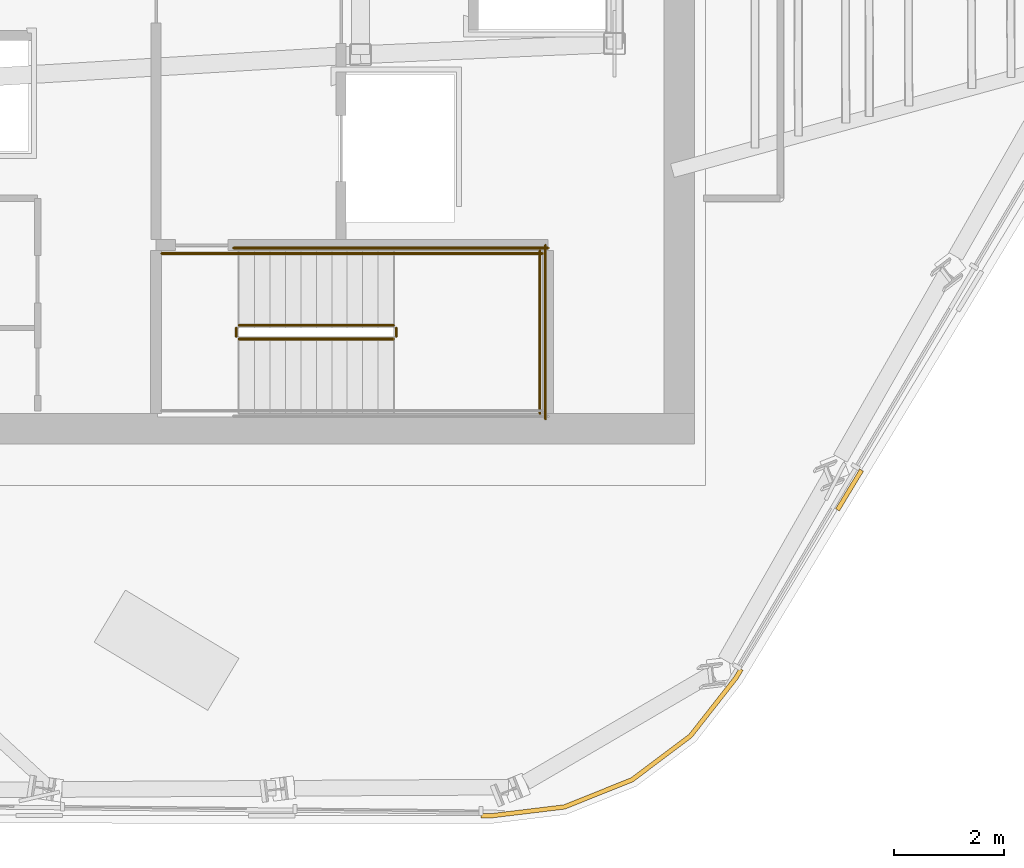
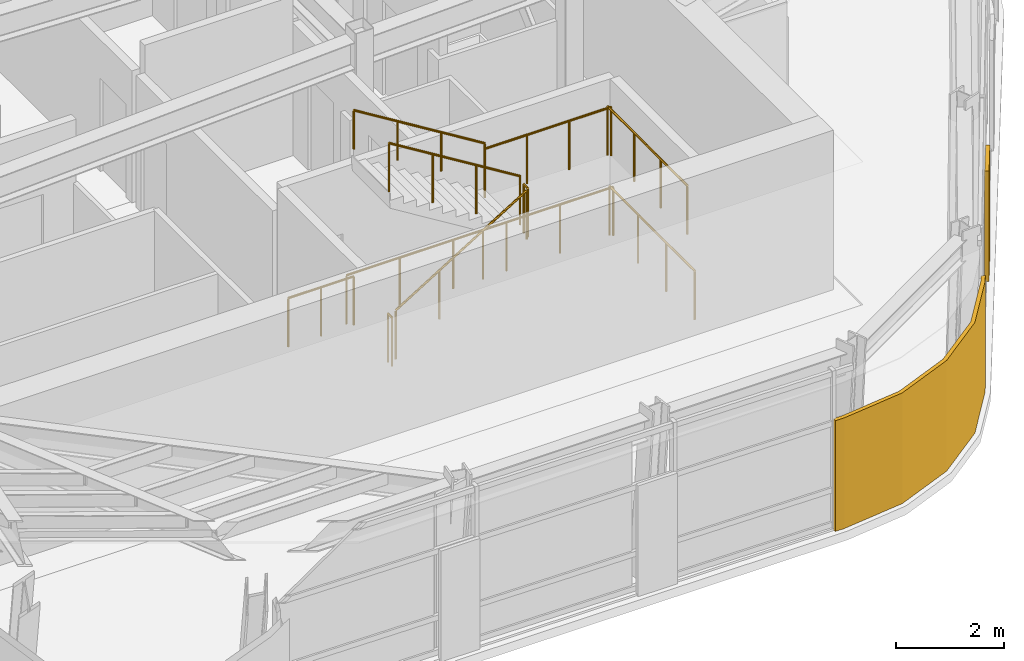
# One storey, part 10 of 13: 10 railings, 2 coverings.
"""IFC4 building model written with IfcOpenShell, lengths in metres."""

from ifc_helpers import new_model, si_unit, direction, frame, origin, origin_2d, place, context, subcontext, project, spatial, polyline, circle, outline, extrude, material, layer, layer_set, type_object, element, save


model = new_model("IFC4")

# Units and contexts
model_context = context("Model", 3, precision=1e-05, world=origin(), true_north=direction((0.0, 1.0)))
body_context = subcontext(model_context, "Body", "Model", "MODEL_VIEW")
ifc_project = project(units=[si_unit("LENGTHUNIT", "METRE"), si_unit("AREAUNIT", "SQUARE_METRE"), si_unit("VOLUMEUNIT", "CUBIC_METRE"), si_unit("PLANEANGLEUNIT", "RADIAN"), si_unit("MASSUNIT", "GRAM", prefix="KILO")], contexts=[model_context])

# Site, building, storey
site_placement = place(None, origin())
site = spatial("IfcSite", under=ifc_project, at=site_placement, CompositionType="ELEMENT")
building_placement = place(site_placement, origin())
building = spatial("IfcBuilding", under=site, at=building_placement, Name="Valkerne Bourse Tower", CompositionType="ELEMENT")
storey_placement = place(building_placement, frame((0.0, 0.0, 281.199951171875)))
storey = spatial("IfcBuildingStorey", under=building, at=storey_placement, Name="L71", CompositionType="ELEMENT", Elevation=281.199951171875)

# Coverings
ifc_material_1 = material(Name="Bronze Anodised Aluminium AA 6063-T6", Category="aluminium")
ifc_layer = layer(ifc_material_1, 0.06005859375)
ifc_layer_set = layer_set([ifc_layer], Name="Bronze Anodised Aluminium AA 6063-T6")
covering_type = type_object("IfcCoveringType", Name="COV-CRN-ALUM", PredefinedType="CLADDING", material=ifc_layer_set)
covering_1_placement = place(storey_placement, origin())
element("IfcCovering", 1, at=covering_1_placement, inside=storey, type_object=covering_type, Name="L71 Wind-Shaped Corner Aluminium Cladding 03", PredefinedType="CLADDING", context=body_context, shape_type="SweptSolid", body=[
    extrude(outline(polyline([(59.025146484375, 16.83544921875), (58.956298828125, 16.876220703125), (59.39111328125, 17.594970703125), (59.4599609375, 17.55419921875), (59.025146484375, 16.83544921875)])), origin(), (0.0, 0.0, 1.0), 2.5),
])
covering_2_placement = place(storey_placement, origin())
element("IfcCovering", 2, at=covering_2_placement, inside=storey, type_object=covering_type, Name="L71 Wind-Shaped Corner Aluminium Cladding 04", PredefinedType="CLADDING", context=body_context, shape_type="SweptSolid", body=[
    extrude(outline(polyline([(57.180419921875, 13.784912109375), (56.3544921875, 12.73193359375), (55.2900390625, 11.9326171875), (54.054931640625, 11.43603515625), (52.726318359375, 11.275390625), (52.53369140625, 11.275390625), (52.534423828125, 11.35546875), (52.7216796875, 11.355224609375), (54.034912109375, 11.51416015625), (55.25048828125, 12.0029296875), (56.298095703125, 12.78955078125), (57.1142578125, 13.83056640625), (57.211181640625, 13.990478515625), (57.280029296875, 13.94970703125), (57.180419921875, 13.784912109375)])), origin(), (0.0, 0.0, 1.0), 2.5),
])

# Railings
ifc_material_2 = material(Name="Galvanised Painted Steel", Category="steel")
railing_type_1 = type_object("IfcRailingType", Name="RLG-ST-GUARD-1120", PredefinedType="GUARDRAIL", material=ifc_material_2)
railing_1_placement = place(storey_placement, frame((48.14990234375, 19.949951171875, 0.1728515625)))
element("IfcRailing", 3, at=railing_1_placement, inside=storey, type_object=railing_type_1, Name="L71 ST-1 stair guard 1", PredefinedType="GUARDRAIL", context=body_context, shape_type="SweptSolid", body=[
    extrude(circle(Radius=0.02392578125, at=origin_2d()), frame((0.0, 0.0, 1.09619140625), z_axis=(0.851089632645, 0.0, 0.525020415988), x_axis=(0.0, 1.0, 0.0)), (0.0, 0.0, 1.0), 3.2900390625),
    extrude(circle(Radius=0.02099609375, at=origin_2d()), origin(), (0.0, 0.0, 1.0), 1.072021484375),
    extrude(circle(Radius=0.02099609375, at=origin_2d()), frame((0.933349609375, 0.0, 0.57568359375)), (0.0, 0.0, 1.0), 1.072021484375),
    extrude(circle(Radius=0.02099609375, at=origin_2d()), frame((1.86669921875, 0.0, 1.151611328125)), (0.0, 0.0, 1.0), 1.072021484375),
    extrude(circle(Radius=0.02099609375, at=origin_2d()), frame((2.800048828125, 0.0, 1.727294921875)), (0.0, 0.0, 1.0), 1.072021484375),
])
railing_2_placement = place(storey_placement, frame((51.0, 20.0, 1.900146484375)))
element("IfcRailing", 4, at=railing_2_placement, inside=storey, type_object=railing_type_1, Name="L71 ST-1 stair guard 2", PredefinedType="GUARDRAIL", context=body_context, shape_type="SweptSolid", body=[
    extrude(circle(Radius=0.02392578125, at=origin_2d()), frame((0.0, 0.0, 1.09619140625), z_axis=(0.0, 1.0, 0.0), x_axis=(-1.0, 0.0, 0.0)), (0.0, 0.0, 1.0), 0.14990234375),
    extrude(circle(Radius=0.02099609375, at=origin_2d()), origin(), (0.0, 0.0, 1.0), 1.072021484375),
    extrude(circle(Radius=0.02099609375, at=origin_2d()), frame((0.0, 0.14990234375, 0.0)), (0.0, 0.0, 1.0), 1.072021484375),
])
railing_3_placement = place(storey_placement, frame((50.949951171875, 21.5, 1.900146484375)))
element("IfcRailing", 5, at=railing_3_placement, inside=storey, type_object=railing_type_1, Name="L71 ST-1 stair guard 4", PredefinedType="GUARDRAIL", context=body_context, shape_type="SweptSolid", body=[
    extrude(circle(Radius=0.02392578125, at=origin_2d()), frame((0.0, 0.0, 1.09619140625), z_axis=(1.0, 0.0, 0.0), x_axis=(0.0, 1.0, 0.0)), (0.0, 0.0, 1.0), 2.699951171875),
    extrude(circle(Radius=0.02099609375, at=origin_2d()), origin(), (0.0, 0.0, 1.0), 1.072021484375),
    extrude(circle(Radius=0.02099609375, at=origin_2d()), frame((0.89990234375, 0.0, 0.0)), (0.0, 0.0, 1.0), 1.072021484375),
    extrude(circle(Radius=0.02099609375, at=origin_2d()), frame((1.800048828125, 0.0, 0.0)), (0.0, 0.0, 1.0), 1.072021484375),
    extrude(circle(Radius=0.02099609375, at=origin_2d()), frame((2.699951171875, 0.0, 0.0)), (0.0, 0.0, 1.0), 1.072021484375),
])
railing_4_placement = place(storey_placement, frame((53.60009765625, 18.60009765625, 1.900146484375)))
element("IfcRailing", 6, at=railing_4_placement, inside=storey, type_object=railing_type_1, Name="L71 ST-1 stair guard 5", PredefinedType="GUARDRAIL", context=body_context, shape_type="SweptSolid", body=[
    extrude(circle(Radius=0.02392578125, at=origin_2d()), frame((0.0, 0.0, 1.09619140625), z_axis=(0.0, 1.0, 0.0), x_axis=(-1.0, 0.0, 0.0)), (0.0, 0.0, 1.0), 2.949951171875),
    extrude(circle(Radius=0.02099609375, at=origin_2d()), origin(), (0.0, 0.0, 1.0), 1.072021484375),
    extrude(circle(Radius=0.02099609375, at=origin_2d()), frame((0.0, 0.9833984375, 0.0)), (0.0, 0.0, 1.0), 1.072021484375),
    extrude(circle(Radius=0.02099609375, at=origin_2d()), frame((0.0, 1.966552734375, 0.0)), (0.0, 0.0, 1.0), 1.072021484375),
    extrude(circle(Radius=0.02099609375, at=origin_2d()), frame((0.0, 2.949951171875, 0.0)), (0.0, 0.0, 1.0), 1.072021484375),
])
railing_5_placement = place(storey_placement, frame((50.949951171875, 20.199951171875, 2.07275390625)))
element("IfcRailing", 7, at=railing_5_placement, inside=storey, type_object=railing_type_1, Name="L71 ST-1 stair guard 6", PredefinedType="GUARDRAIL", context=body_context, shape_type="SweptSolid", body=[
    extrude(circle(Radius=0.02392578125, at=origin_2d()), frame((0.0, 0.0, 1.09619140625), z_axis=(-0.851089632645, 0.0, 0.525020415988), x_axis=(0.0, -1.0, 0.0)), (0.0, 0.0, 1.0), 3.2900390625),
    extrude(circle(Radius=0.02099609375, at=origin_2d()), origin(), (0.0, 0.0, 1.0), 1.072021484375),
    extrude(circle(Radius=0.02099609375, at=origin_2d()), frame((-0.933349609375, 0.0, 0.57568359375)), (0.0, 0.0, 1.0), 1.072021484375),
    extrude(circle(Radius=0.02099609375, at=origin_2d()), frame((-1.86669921875, 0.0, 1.151611328125)), (0.0, 0.0, 1.0), 1.072021484375),
    extrude(circle(Radius=0.02099609375, at=origin_2d()), frame((-2.800048828125, 0.0, 1.727294921875)), (0.0, 0.0, 1.0), 1.072021484375),
])
railing_6_placement = place(storey_placement, frame((48.10009765625, 20.0, 0.0)))
element("IfcRailing", 8, at=railing_6_placement, inside=storey, type_object=railing_type_1, Name="L71 ST-1 stair guard 7", PredefinedType="GUARDRAIL", context=body_context, shape_type="SweptSolid", body=[
    extrude(circle(Radius=0.02392578125, at=origin_2d()), frame((0.0, 0.0, 1.09619140625), z_axis=(0.0, 1.0, 0.0), x_axis=(-1.0, 0.0, 0.0)), (0.0, 0.0, 1.0), 0.14990234375),
    extrude(circle(Radius=0.02099609375, at=origin_2d()), origin(), (0.0, 0.0, 1.0), 1.072021484375),
    extrude(circle(Radius=0.02099609375, at=origin_2d()), frame((0.0, 0.14990234375, 0.0)), (0.0, 0.0, 1.0), 1.072021484375),
])
railing_7_placement = place(storey_placement, frame((46.75, 21.5, 0.0)))
element("IfcRailing", 9, at=railing_7_placement, inside=storey, type_object=railing_type_1, Name="L71 ST-1 stair guard 9", PredefinedType="GUARDRAIL", context=body_context, shape_type="SweptSolid", body=[
    extrude(circle(Radius=0.02392578125, at=origin_2d()), frame((0.0, 0.0, 1.09619140625), z_axis=(1.0, 0.0, 0.0), x_axis=(0.0, 1.0, 0.0)), (0.0, 0.0, 1.0), 1.39990234375),
    extrude(circle(Radius=0.02099609375, at=origin_2d()), origin(), (0.0, 0.0, 1.0), 1.072021484375),
    extrude(circle(Radius=0.02099609375, at=origin_2d()), frame((0.699951171875, 0.0, 0.0)), (0.0, 0.0, 1.0), 1.072021484375),
    extrude(circle(Radius=0.02099609375, at=origin_2d()), frame((1.39990234375, 0.0, 0.0)), (0.0, 0.0, 1.0), 1.072021484375),
])
railing_8_placement = place(storey_placement, frame((48.050048828125, 21.60009765625, 0.0)))
element("IfcRailing", 10, at=railing_8_placement, inside=storey, type_object=railing_type_1, Name="L71 ST-1 stair guard 11", PredefinedType="GUARDRAIL", context=body_context, shape_type="SweptSolid", body=[
    extrude(circle(Radius=0.02392578125, at=origin_2d()), frame((0.0, 0.0, 1.09619140625), z_axis=(1.0, 0.0, 0.0), x_axis=(0.0, 1.0, 0.0)), (0.0, 0.0, 1.0), 5.699951171875),
    extrude(circle(Radius=0.02099609375, at=origin_2d()), origin(), (0.0, 0.0, 1.0), 1.072021484375),
    extrude(circle(Radius=0.02099609375, at=origin_2d()), frame((1.139892578125, 0.0, 0.0)), (0.0, 0.0, 1.0), 1.072021484375),
    extrude(circle(Radius=0.02099609375, at=origin_2d()), frame((2.280029296875, 0.0, 0.0)), (0.0, 0.0, 1.0), 1.072021484375),
    extrude(circle(Radius=0.02099609375, at=origin_2d()), frame((3.419921875, 0.0, 0.0)), (0.0, 0.0, 1.0), 1.072021484375),
    extrude(circle(Radius=0.02099609375, at=origin_2d()), frame((4.56005859375, 0.0, 0.0)), (0.0, 0.0, 1.0), 1.072021484375),
    extrude(circle(Radius=0.02099609375, at=origin_2d()), frame((5.699951171875, 0.0, 0.0)), (0.0, 0.0, 1.0), 1.072021484375),
])
railing_9_placement = place(storey_placement, frame((53.699951171875, 18.5, 0.0)))
element("IfcRailing", 11, at=railing_9_placement, inside=storey, type_object=railing_type_1, Name="L71 ST-1 stair guard 12", PredefinedType="GUARDRAIL", context=body_context, shape_type="SweptSolid", body=[
    extrude(circle(Radius=0.02392578125, at=origin_2d()), frame((0.0, 0.0, 1.09619140625), z_axis=(0.0, 1.0, 0.0), x_axis=(-1.0, 0.0, 0.0)), (0.0, 0.0, 1.0), 3.14990234375),
    extrude(circle(Radius=0.02099609375, at=origin_2d()), origin(), (0.0, 0.0, 1.0), 1.072021484375),
    extrude(circle(Radius=0.02099609375, at=origin_2d()), frame((0.0, 1.050048828125, 0.0)), (0.0, 0.0, 1.0), 1.072021484375),
    extrude(circle(Radius=0.02099609375, at=origin_2d()), frame((0.0, 2.099853515625, 0.0)), (0.0, 0.0, 1.0), 1.072021484375),
    extrude(circle(Radius=0.02099609375, at=origin_2d()), frame((0.0, 3.14990234375, 0.0)), (0.0, 0.0, 1.0), 1.072021484375),
])
ifc_material_3 = material(Name="Stainless Steel AISI 316", Category="steel")
railing_type_2 = type_object("IfcRailingType", Name="RLG-ST-HANDRAIL-900", PredefinedType="HANDRAIL", material=ifc_material_3)
railing_10_placement = place(storey_placement, frame((50.949951171875, 21.5, 2.24560546875)))
element("IfcRailing", 12, at=railing_10_placement, inside=storey, type_object=railing_type_2, Name="L71 ST-1 stair handrail 2", PredefinedType="HANDRAIL", context=body_context, shape_type="SweptSolid", body=[
    extrude(circle(Radius=0.02392578125, at=origin_2d()), frame((0.0, 0.0, 0.8759765625), z_axis=(-0.851122791225, 0.0, 0.524966660138), x_axis=(0.0, -1.0, 0.0)), (0.0, 0.0, 1.0), 3.289794921875),
    extrude(circle(Radius=0.02099609375, at=origin_2d()), origin(), (0.0, 0.0, 1.0), 0.851806640625),
    extrude(circle(Radius=0.02099609375, at=origin_2d()), frame((-0.933349609375, 0.0, 0.57568359375)), (0.0, 0.0, 1.0), 0.851806640625),
    extrude(circle(Radius=0.02099609375, at=origin_2d()), frame((-1.86669921875, 0.0, 1.1513671875)), (0.0, 0.0, 1.0), 0.851806640625),
    extrude(circle(Radius=0.02099609375, at=origin_2d()), frame((-2.800048828125, 0.0, 1.72705078125)), (0.0, 0.0, 1.0), 0.851806640625),
])

save(model, "model.ifc")
